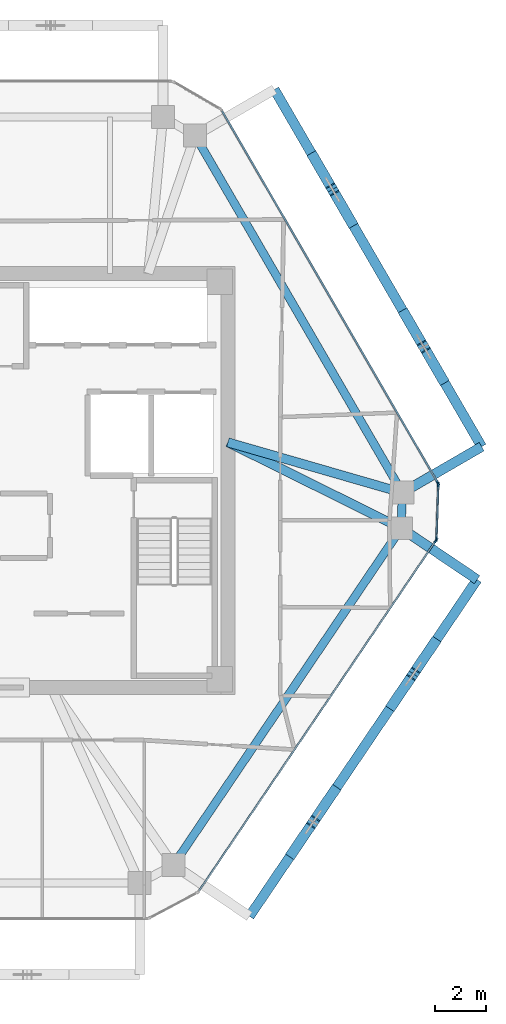
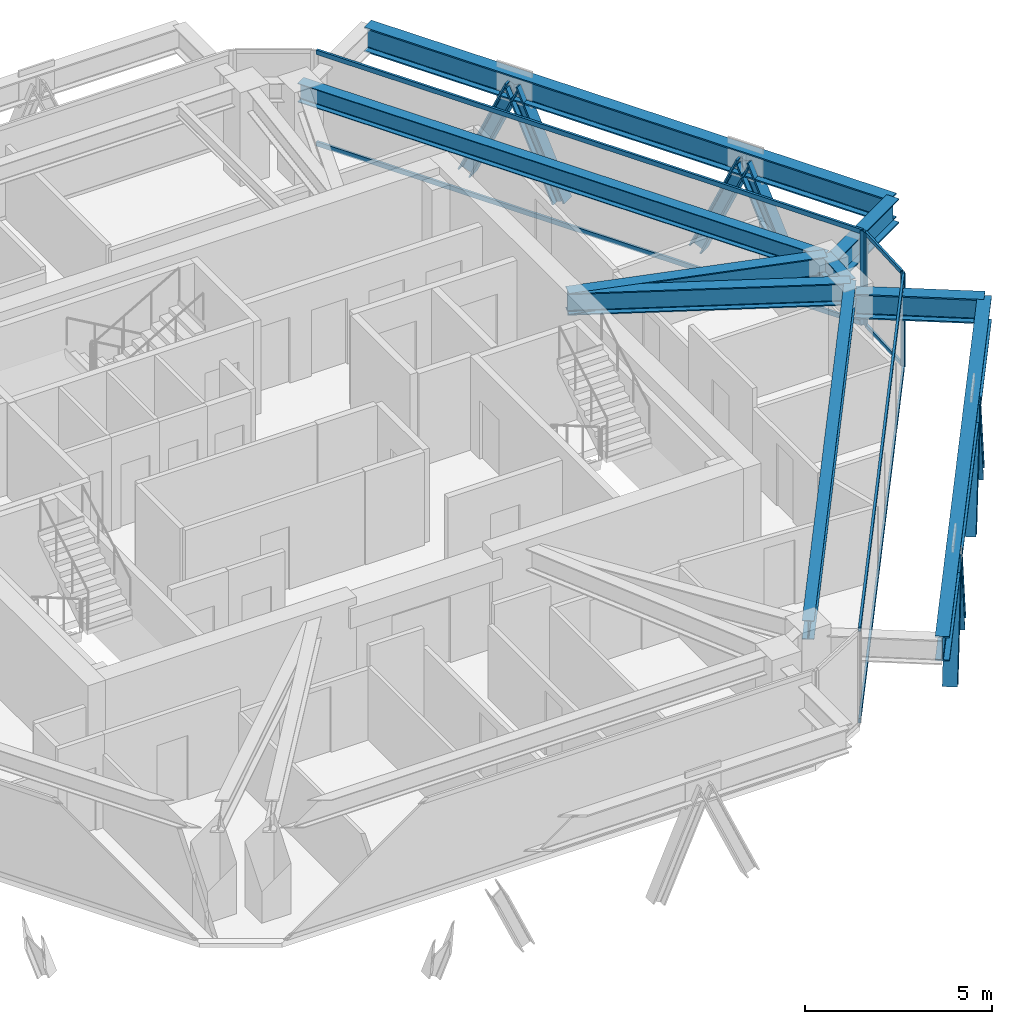
# One storey, part 5 of 13: 18 members, 9 beams, 3 elements without a shape of their own.
"""IFC4 building model written with IfcOpenShell, lengths in metres."""

from ifc_helpers import new_model, si_unit, direction, frame, origin, origin_2d, place, context, subcontext, project, spatial, rectangle, i_section, extrude, source, transform, mapped, material, layer, layer_set, material_profile, profile_set, type_object, type_shapes, element, aggregate, save


model = new_model("IFC4")

# Units and contexts
model_context = context("Model", 3, precision=1e-05, world=origin(), true_north=direction((0.0, 1.0)))
body_context = subcontext(model_context, "Body", "Model", "MODEL_VIEW")
ifc_project = project(units=[si_unit("LENGTHUNIT", "METRE"), si_unit("AREAUNIT", "SQUARE_METRE"), si_unit("VOLUMEUNIT", "CUBIC_METRE"), si_unit("PLANEANGLEUNIT", "RADIAN"), si_unit("MASSUNIT", "GRAM", prefix="KILO")], contexts=[model_context])

# Site, building, storey
site_placement = place(None, origin())
site = spatial("IfcSite", under=ifc_project, at=site_placement, CompositionType="ELEMENT")
building_placement = place(site_placement, origin())
building = spatial("IfcBuilding", under=site, at=building_placement, Name="Durnholm Broadcast Tower", CompositionType="ELEMENT")
storey_placement = place(building_placement, frame((0.0, 0.0, 248.0)))
storey = spatial("IfcBuildingStorey", under=building, at=storey_placement, Name="L69", CompositionType="ELEMENT", Elevation=248.0)

# Beams
ifc_material_1 = material(Name="Steel ASTM A992 Grade 50", Category="steel")
ifc_material_profile_1 = material_profile(ifc_material_1, i_section(OverallWidth=0.385009765625, OverallDepth=0.802978515625, WebThickness=0.023681640625, FlangeThickness=0.0419921875, FilletRadius=0.032958984375, at=origin_2d()), Name="W30X261")
ifc_profile_set_1 = profile_set([ifc_material_profile_1], Name="Steel ASTM A992 Grade 50")
beam_type_1 = type_object("IfcBeamType", Name="BM-EXO-TIE", PredefinedType="USERDEFINED", material=ifc_profile_set_1)
shared_shape_1 = source(origin(), body_context, "Body", "SweptSolid", [
    extrude(i_section(OverallWidth=0.385009765625, OverallDepth=0.802978515625, WebThickness=0.023681640625, FlangeThickness=0.0419921875, FilletRadius=0.032958984375, at=origin_2d()), origin(), (0.0, 0.0, 1.0), 3.4560546875),
])
beam_1_placement = place(storey_placement, frame((17.0947265625, -0.40380859375, 2.30859375), z_axis=(0.864924479231, 0.501902027518, 0.0), x_axis=(-0.501902027518, 0.864924479231, 0.0)))
element("IfcBeam", 1, at=beam_1_placement, inside=storey, type_object=beam_type_1, Name="L69 exoskeleton stand-off tie bracket F3.1", ObjectType="GIRDER", PredefinedType="USERDEFINED", context=body_context, shape_type="MappedRepresentation", body=[
    mapped(shared_shape_1, transform((0.0, 0.0, 0.0), x_axis=(1.0, 0.0, 0.0), y_axis=(0.0, 1.0, 0.0), z_axis=(0.0, 0.0, 1.0), scale=1.0)),
])
shared_shape_2 = source(origin(), body_context, "Body", "SweptSolid", [
    extrude(i_section(OverallWidth=0.385009765625, OverallDepth=0.802978515625, WebThickness=0.023681640625, FlangeThickness=0.0419921875, FilletRadius=0.032958984375, at=origin_2d()), origin(), (0.0, 0.0, 1.0), 3.455810546875),
])
beam_2_placement = place(storey_placement, frame((17.041748046875, -1.95068359375, 2.30859375), z_axis=(0.828446342252, -0.560068440469, 0.0), x_axis=(0.560068440469, 0.828446342252, 0.0)))
element("IfcBeam", 2, at=beam_2_placement, inside=storey, type_object=beam_type_1, Name="L69 exoskeleton stand-off tie bracket F2.2", ObjectType="GIRDER", PredefinedType="USERDEFINED", context=body_context, shape_type="MappedRepresentation", body=[
    mapped(shared_shape_2, transform((0.0, 0.0, 0.0), x_axis=(1.0, 0.0, 0.0), y_axis=(0.0, 1.0, 0.0), z_axis=(0.0, 0.0, 1.0), scale=1.0)),
])
ifc_material_profile_2 = material_profile(ifc_material_1, i_section(OverallWidth=0.3251953125, OverallDepth=0.6162109375, WebThickness=0.013916015625, FlangeThickness=0.021484375, FilletRadius=0.02783203125, at=origin_2d()), Name="W24X117")
ifc_profile_set_2 = profile_set([ifc_material_profile_2], Name="Steel ASTM A992 Grade 50")
beam_type_2 = type_object("IfcBeamType", Name="STL-SP-W24X117", PredefinedType="SPANDREL", material=ifc_profile_set_2)
shared_shape_3 = source(origin(), body_context, "Body", "SweptSolid", [
    extrude(i_section(OverallWidth=0.3251953125, OverallDepth=0.6162109375, WebThickness=0.013916015625, FlangeThickness=0.021484375, FilletRadius=0.02783203125, at=origin_2d()), origin(), (0.0, 0.0, 1.0), 1.39453125),
])
beam_3_placement = place(storey_placement, frame((16.97021484375, -0.47607421875, 2.73681640625), z_axis=(-0.034311541846, -0.999411185697, 0.0), x_axis=(0.999411185697, -0.034311541846, 0.0)))
element("IfcBeam", 3, at=beam_3_placement, inside=storey, type_object=beam_type_2, Name="L69 perimeter spandrel girder 08", PredefinedType="SPANDREL", context=body_context, shape_type="MappedRepresentation", body=[
    mapped(shared_shape_3, transform((0.0, 0.0, 0.0), x_axis=(1.0, 0.0, 0.0), y_axis=(0.0, 1.0, 0.0), z_axis=(0.0, 0.0, 1.0), scale=1.0)),
])
shared_shape_4 = source(origin(), body_context, "Body", "SweptSolid", [
    extrude(i_section(OverallWidth=0.3251953125, OverallDepth=0.6162109375, WebThickness=0.013916015625, FlangeThickness=0.021484375, FilletRadius=0.02783203125, at=origin_2d()), origin(), (0.0, 0.0, 1.0), 15.947265625),
])
beam_4_placement = place(storey_placement, frame((16.92236328125, -1.869873046875, 2.73681640625), z_axis=(-0.560062212489, -0.828450552623, 0.0), x_axis=(0.828450552623, -0.560062212489, 0.0)))
element("IfcBeam", 4, at=beam_4_placement, inside=storey, type_object=beam_type_2, Name="L69 perimeter spandrel girder 09", PredefinedType="SPANDREL", context=body_context, shape_type="MappedRepresentation", body=[
    mapped(shared_shape_4, transform((0.0, 0.0, 0.0), x_axis=(1.0, 0.0, 0.0), y_axis=(0.0, 1.0, 0.0), z_axis=(0.0, 0.0, 1.0), scale=1.0)),
])
shared_shape_5 = source(origin(), body_context, "Body", "SweptSolid", [
    extrude(i_section(OverallWidth=0.3251953125, OverallDepth=0.6162109375, WebThickness=0.013916015625, FlangeThickness=0.021484375, FilletRadius=0.02783203125, at=origin_2d()), origin(), (0.0, 0.0, 1.0), 16.20263671875),
])
type_shapes(beam_type_2, [shared_shape_3, shared_shape_4, shared_shape_5])
beam_5_placement = place(storey_placement, frame((8.83740234375, 13.53759765625, 2.73681640625), z_axis=(0.501943573333, -0.864900369516, 0.0), x_axis=(0.864900369516, 0.501943573333, 0.0)))
element("IfcBeam", 5, at=beam_5_placement, inside=storey, type_object=beam_type_2, Name="L69 perimeter spandrel girder 07", PredefinedType="SPANDREL", context=body_context, shape_type="MappedRepresentation", body=[
    mapped(shared_shape_5, transform((0.0, 0.0, 0.0), x_axis=(1.0, 0.0, 0.0), y_axis=(0.0, 1.0, 0.0), z_axis=(0.0, 0.0, 1.0), scale=1.0)),
])
shared_shape_6 = source(origin(), body_context, "Body", "SweptSolid", [
    extrude(i_section(OverallWidth=0.385009765625, OverallDepth=0.802978515625, WebThickness=0.023681640625, FlangeThickness=0.0419921875, FilletRadius=0.032958984375, at=origin_2d()), origin(), (0.0, 0.0, 1.0), 15.947021484375),
])
beam_6_placement = place(storey_placement, frame((10.973388671875, -17.097412109375, 2.30859375), z_axis=(0.560069315853, 0.828445750451, 0.0), x_axis=(-0.828445750451, 0.560069315853, 0.0)))
element("IfcBeam", 6, at=beam_6_placement, inside=storey, type_object=beam_type_1, Name="L69 exoskeleton collector spandrel F2", PredefinedType="SPANDREL", context=body_context, shape_type="MappedRepresentation", body=[
    mapped(shared_shape_6, transform((0.0, 0.0, 0.0), x_axis=(1.0, 0.0, 0.0), y_axis=(0.0, 1.0, 0.0), z_axis=(0.0, 0.0, 1.0), scale=1.0)),
])
shared_shape_7 = source(origin(), body_context, "Body", "SweptSolid", [
    extrude(i_section(OverallWidth=0.385009765625, OverallDepth=0.802978515625, WebThickness=0.023681640625, FlangeThickness=0.0419921875, FilletRadius=0.032958984375, at=origin_2d()), origin(), (0.0, 0.0, 1.0), 16.202880859375),
])
type_shapes(beam_type_1, [shared_shape_1, shared_shape_2, shared_shape_6, shared_shape_7])
beam_7_placement = place(storey_placement, frame((20.083984375, 1.330810546875, 2.30859375), z_axis=(-0.501948303381, 0.864897624423, 0.0), x_axis=(-0.864897624423, -0.501948303381, 0.0)))
element("IfcBeam", 7, at=beam_7_placement, inside=storey, type_object=beam_type_1, Name="L69 exoskeleton collector spandrel F3", PredefinedType="SPANDREL", context=body_context, shape_type="MappedRepresentation", body=[
    mapped(shared_shape_7, transform((0.0, 0.0, 0.0), x_axis=(1.0, 0.0, 0.0), y_axis=(0.0, 1.0, 0.0), z_axis=(0.0, 0.0, 1.0), scale=1.0)),
])
ifc_material_profile_3 = material_profile(ifc_material_1, i_section(OverallWidth=0.3564453125, OverallDepth=0.713623046875, WebThickness=0.01904296875, FlangeThickness=0.033935546875, FilletRadius=0.030517578125, at=origin_2d()), Name="W27X194")
ifc_profile_set_3 = profile_set([ifc_material_profile_3], Name="Steel ASTM A992 Grade 50")
beam_type_3 = type_object("IfcBeamType", Name="STL-GR-W27X194", PredefinedType="USERDEFINED", material=ifc_profile_set_3)
shared_shape_8 = source(origin(), body_context, "Body", "SweptSolid", [
    extrude(i_section(OverallWidth=0.3564453125, OverallDepth=0.713623046875, WebThickness=0.01904296875, FlangeThickness=0.033935546875, FilletRadius=0.030517578125, at=origin_2d()), origin(), (0.0, 0.0, 1.0), 7.124755859375),
])
beam_8_placement = place(storey_placement, frame((10.125, 1.5, 2.688232421875), z_axis=(0.960767767054, -0.277354101809, 0.0), x_axis=(0.277354101809, 0.960767767054, 0.0)))
element("IfcBeam", 8, at=beam_8_placement, inside=storey, type_object=beam_type_3, Name="L69 radial primary floor girder 08", ObjectType="GIRDER", PredefinedType="USERDEFINED", context=body_context, shape_type="MappedRepresentation", body=[
    mapped(shared_shape_8, transform((0.0, 0.0, 0.0), x_axis=(1.0, 0.0, 0.0), y_axis=(0.0, 1.0, 0.0), z_axis=(0.0, 0.0, 1.0), scale=1.0)),
])
shared_shape_9 = source(origin(), body_context, "Body", "SweptSolid", [
    extrude(i_section(OverallWidth=0.3564453125, OverallDepth=0.713623046875, WebThickness=0.01904296875, FlangeThickness=0.033935546875, FilletRadius=0.030517578125, at=origin_2d()), origin(), (0.0, 0.0, 1.0), 7.5869140625),
])
type_shapes(beam_type_3, [shared_shape_8, shared_shape_9])
beam_9_placement = place(storey_placement, frame((10.125, 1.5, 2.688232421875), z_axis=(0.895940903598, -0.444173273916, 0.0), x_axis=(0.444173273916, 0.895940903598, 0.0)))
element("IfcBeam", 9, at=beam_9_placement, inside=storey, type_object=beam_type_3, Name="L69 radial primary floor girder 09", ObjectType="GIRDER", PredefinedType="USERDEFINED", context=body_context, shape_type="MappedRepresentation", body=[
    mapped(shared_shape_9, transform((0.0, 0.0, 0.0), x_axis=(1.0, 0.0, 0.0), y_axis=(0.0, 1.0, 0.0), z_axis=(0.0, 0.0, 1.0), scale=1.0)),
])

# Members
ifc_material_2 = material(Name="Steel ASTM A913 Grade 65", Category="steel")
ifc_material_profile_4 = material_profile(ifc_material_2, i_section(OverallWidth=0.40625, OverallDepth=0.416015625, WebThickness=0.02978515625, FlangeThickness=0.048095703125, FilletRadius=0.030517578125, at=origin_2d()), Name="W14X257")
ifc_profile_set_4 = profile_set([ifc_material_profile_4], Name="Steel ASTM A913 Grade 65")
member_type_1 = type_object("IfcMemberType", Name="STL-DG-W14X257", PredefinedType="BRACE", material=ifc_profile_set_4)
shared_shape_10 = source(origin(), body_context, "Body", "SweptSolid", [
    extrude(i_section(OverallWidth=0.40625, OverallDepth=0.416015625, WebThickness=0.02978515625, FlangeThickness=0.048095703125, FilletRadius=0.030517578125, at=origin_2d()), origin(), (0.0, 0.0, 1.0), 3.60791015625),
])
type_shapes(member_type_1, [shared_shape_10])
for number, where, z_axis, x_axis, name in (
    (10, (12.657470703125, -14.6064453125, -0.991455078125), (0.226349134478, 0.334888450383, 0.914667040579), (-0.828505003222, 0.559981660089, 0.0), "L69 stand-off diagrid brace F2.D1.1"),
    (11, (14.290771484375, -12.190185546875, -0.991455078125), (-0.226354263477, -0.334828369412, 0.914687766641), (0.828452496411, -0.560059337206, 0.0), "L69 stand-off diagrid brace F2.D1.2"),
    (12, (16.58740234375, -8.79345703125, -0.991455078125), (0.226349134478, 0.334888450383, 0.914667040579), (-0.828505003222, 0.559981660089, 0.0), "L69 stand-off diagrid brace F2.D2.1"),
    (13, (18.220703125, -6.377197265625, -0.991455078125), (-0.226354263477, -0.334828369412, 0.914687766641), (0.828452496411, -0.560059337206, 0.0), "L69 stand-off diagrid brace F2.D2.2"),
    (14, (18.53857421875, 3.99365234375, -0.991455078125), (-0.202871189729, 0.349577240207, 0.914679743685), (-0.864906184135, -0.501933554014, 0.0), "L69 stand-off diagrid brace F3.D1.1"),
    (15, (17.07470703125, 6.51611328125, -0.991455078125), (0.202871189729, -0.349577240207, 0.914679743685), (0.864906184135, 0.501933554014, 0.0), "L69 stand-off diagrid brace F3.D1.2"),
    (16, (14.960205078125, 10.15966796875, -0.991455078125), (-0.202871189729, 0.349577240207, 0.914679743685), (-0.864906184135, -0.501933554014, 0.0), "L69 stand-off diagrid brace F3.D2.1"),
    (17, (13.496337890625, 12.681884765625, -0.991455078125), (0.202875988452, -0.349517838677, 0.914701379553), (0.864863994925, 0.502006245263, 0.0), "L69 stand-off diagrid brace F3.D2.2"),
):
    element("IfcMember", number, at=place(storey_placement, frame(where, z_axis=z_axis, x_axis=x_axis)), inside=storey, type_object=member_type_1, Name=name, PredefinedType="BRACE", context=body_context, shape_type="MappedRepresentation", body=[
        mapped(shared_shape_10, transform((0.0, 0.0, 0.0), x_axis=(1.0, 0.0, 0.0), y_axis=(0.0, 1.0, 0.0), z_axis=(0.0, 0.0, 1.0), scale=1.0)),
    ])

# Curtain wall, members
ifc_material_3 = material(Name="Aluminium and Solar Control IGU", Category="aluminium")
ifc_layer_1 = layer(ifc_material_3, 0.1650390625)
ifc_layer_set_1 = layer_set([ifc_layer_1], Name="Aluminium and Solar Control IGU")
curtain_wall_type_1 = type_object("IfcCurtainWallType", Name="CW-SYS-5", PredefinedType="NOTDEFINED", material=ifc_layer_set_1)
curtain_wall_1_placement = place(storey_placement, origin())
curtain_wall_1 = element("IfcCurtainWall", 18, at=curtain_wall_1_placement, inside=storey, type_object=curtain_wall_type_1, Name="L69 curtain wall CW-CORNER CW-L69-CRN-07", PredefinedType="NOTDEFINED")
ifc_material_4 = material(Name="Aluminium 6063-T6", Category="aluminium")
ifc_material_profile_5 = material_profile(ifc_material_4, rectangle(XDim=0.06494140625, YDim=0.1298828125, at=origin_2d()), Name="CWT65X130")
ifc_profile_set_5 = profile_set([ifc_material_profile_5], Name="Aluminium 6063-T6")
member_type_2 = type_object("IfcMemberType", Name="CW-SYS-5-TRN", PredefinedType="USERDEFINED", material=ifc_profile_set_5)
shared_shape_11 = source(origin(), body_context, "Body", "SweptSolid", [
    extrude(rectangle(XDim=0.06494140625, YDim=0.1298828125, at=origin_2d()), origin(), (0.0, 0.0, 1.0), 2.06982421875),
])
type_shapes(member_type_2, [shared_shape_11])
member_1_placement = place(storey_placement, frame((18.381103515625, -0.186767578125, 0.032470703125), z_axis=(-0.034324150719, -0.999410752733, 0.0), x_axis=(0.999410752733, -0.034324150719, 0.0)))
member_1 = element("IfcMember", 19, at=member_1_placement, type_object=member_type_2, Name="CW-CORNER transom 1.1", ObjectType="TRANSOM", PredefinedType="USERDEFINED", context=body_context, shape_type="MappedRepresentation", body=[
    mapped(shared_shape_11, transform((0.0, 0.0, 0.0), x_axis=(1.0, 0.0, 0.0), y_axis=(0.0, 1.0, 0.0), z_axis=(0.0, 0.0, 1.0), scale=1.0)),
])
member_2_placement = place(storey_placement, frame((18.381103515625, -0.186767578125, 3.027587890625), z_axis=(-0.034324150719, -0.999410752733, 0.0), x_axis=(0.999410752733, -0.034324150719, 0.0)))
member_2 = element("IfcMember", 20, at=member_2_placement, type_object=member_type_2, Name="CW-CORNER transom 1.2", ObjectType="TRANSOM", PredefinedType="USERDEFINED", context=body_context, shape_type="MappedRepresentation", body=[
    mapped(shared_shape_11, transform((0.0, 0.0, 0.0), x_axis=(1.0, 0.0, 0.0), y_axis=(0.0, 1.0, 0.0), z_axis=(0.0, 0.0, 1.0), scale=1.0)),
])
ifc_material_profile_6 = material_profile(ifc_material_4, rectangle(XDim=0.06494140625, YDim=0.1650390625, at=origin_2d()), Name="CWM65X165")
ifc_profile_set_6 = profile_set([ifc_material_profile_6], Name="Aluminium 6063-T6")
member_type_3 = type_object("IfcMemberType", Name="CW-SYS-5-MUL", PredefinedType="MULLION", material=ifc_profile_set_6)
shared_shape_12 = source(origin(), body_context, "Body", "SweptSolid", [
    extrude(rectangle(XDim=0.06494140625, YDim=0.1650390625, at=origin_2d()), origin(), (0.0, 0.0, 1.0), 3.06005859375),
])
type_shapes(member_type_3, [shared_shape_12])
member_3_placement = place(storey_placement, frame((18.382080078125, -0.154296875, 0.0), z_axis=(0.0, 0.0, 1.0), x_axis=(0.999410955514, -0.034318245849, 0.0)))
member_3 = element("IfcMember", 21, at=member_3_placement, type_object=member_type_3, Name="CW-CORNER mullion 1", PredefinedType="MULLION", context=body_context, shape_type="MappedRepresentation", body=[
    mapped(shared_shape_12, transform((0.0, 0.0, 0.0), x_axis=(1.0, 0.0, 0.0), y_axis=(0.0, 1.0, 0.0), z_axis=(0.0, 0.0, 1.0), scale=1.0)),
])
member_4_placement = place(storey_placement, frame((18.308837890625, -2.287841796875, 0.0), z_axis=(0.0, 0.0, 1.0), x_axis=(0.999410955514, -0.034318245849, 0.0)))
member_4 = element("IfcMember", 22, at=member_4_placement, type_object=member_type_3, Name="CW-CORNER mullion 2", PredefinedType="MULLION", context=body_context, shape_type="MappedRepresentation", body=[
    mapped(shared_shape_12, transform((0.0, 0.0, 0.0), x_axis=(1.0, 0.0, 0.0), y_axis=(0.0, 1.0, 0.0), z_axis=(0.0, 0.0, 1.0), scale=1.0)),
])
aggregate(curtain_wall_1, [member_3, member_4, member_1, member_2])

# Curtain wall, member
ifc_layer_2 = layer(ifc_material_3, 0.18994140625)
ifc_layer_set_2 = layer_set([ifc_layer_2], Name="Aluminium and Solar Control IGU")
curtain_wall_type_2 = type_object("IfcCurtainWallType", Name="CW-SYS-4", PredefinedType="NOTDEFINED", material=ifc_layer_set_2)
curtain_wall_2_placement = place(storey_placement, origin())
curtain_wall_2 = element("IfcCurtainWall", 23, at=curtain_wall_2_placement, inside=storey, type_object=curtain_wall_type_2, Name="L69 curtain wall CW-Z34-VIS CW-L69-F06", PredefinedType="NOTDEFINED")
ifc_material_profile_7 = material_profile(ifc_material_4, rectangle(XDim=0.070068359375, YDim=0.18994140625, at=origin_2d()), Name="CWM70X190")
ifc_profile_set_7 = profile_set([ifc_material_profile_7], Name="Aluminium 6063-T6")
member_type_4 = type_object("IfcMemberType", Name="CW-SYS-4-MUL", PredefinedType="MULLION", material=ifc_profile_set_7)
shared_shape_13 = source(origin(), body_context, "Body", "SweptSolid", [
    extrude(rectangle(XDim=0.070068359375, YDim=0.18994140625, at=origin_2d()), origin(), (0.0, 0.0, 1.0), 3.06005859375),
])
type_shapes(member_type_4, [shared_shape_13])
member_5_placement = place(storey_placement, frame((18.36572265625, -0.09130859375, 0.0), z_axis=(0.0, 0.0, 1.0), x_axis=(0.864899883824, 0.50194441023, 0.0)))
member_5 = element("IfcMember", 24, at=member_5_placement, type_object=member_type_4, Name="CW-Z34-VIS mullion 2", PredefinedType="MULLION", context=body_context, shape_type="MappedRepresentation", body=[
    mapped(shared_shape_13, transform((0.0, 0.0, 0.0), x_axis=(1.0, 0.0, 0.0), y_axis=(0.0, 1.0, 0.0), z_axis=(0.0, 0.0, 1.0), scale=1.0)),
])

# Curtain wall, members
curtain_wall_3_placement = place(storey_placement, origin())
curtain_wall_3 = element("IfcCurtainWall", 25, at=curtain_wall_3_placement, inside=storey, type_object=curtain_wall_type_2, Name="L69 curtain wall CW-Z34-VIS CW-L69-F08", PredefinedType="NOTDEFINED")
member_6_placement = place(storey_placement, frame((18.2880859375, -2.349365234375, 0.0), z_axis=(0.0, 0.0, 1.0), x_axis=(0.828443431662, -0.560072745753, 0.0)))
member_6 = element("IfcMember", 26, at=member_6_placement, type_object=member_type_4, Name="CW-Z34-VIS mullion 1", PredefinedType="MULLION", context=body_context, shape_type="MappedRepresentation", body=[
    mapped(shared_shape_13, transform((0.0, 0.0, 0.0), x_axis=(1.0, 0.0, 0.0), y_axis=(0.0, 1.0, 0.0), z_axis=(0.0, 0.0, 1.0), scale=1.0)),
])
ifc_material_profile_8 = material_profile(ifc_material_4, rectangle(XDim=0.070068359375, YDim=0.14990234375, at=origin_2d()), Name="CWT70X150")
ifc_profile_set_8 = profile_set([ifc_material_profile_8], Name="Aluminium 6063-T6")
member_type_5 = type_object("IfcMemberType", Name="CW-SYS-4-TRN", PredefinedType="USERDEFINED", material=ifc_profile_set_8)
shared_shape_14 = source(origin(), body_context, "Body", "SweptSolid", [
    extrude(rectangle(XDim=0.070068359375, YDim=0.14990234375, at=origin_2d()), origin(), (0.0, 0.0, 1.0), 16.55859375),
])
member_7_placement = place(storey_placement, frame((18.2685546875, -2.37841796875, 0.034912109375), z_axis=(-0.560071338091, -0.828444383317, 0.0), x_axis=(0.828444383317, -0.560071338091, 0.0)))
member_7 = element("IfcMember", 27, at=member_7_placement, type_object=member_type_5, Name="CW-Z34-VIS transom 1.1", ObjectType="TRANSOM", PredefinedType="USERDEFINED", context=body_context, shape_type="MappedRepresentation", body=[
    mapped(shared_shape_14, transform((0.0, 0.0, 0.0), x_axis=(1.0, 0.0, 0.0), y_axis=(0.0, 1.0, 0.0), z_axis=(0.0, 0.0, 1.0), scale=1.0)),
])
member_8_placement = place(storey_placement, frame((18.2685546875, -2.37841796875, 3.02490234375), z_axis=(-0.560071338091, -0.828444383317, 0.0), x_axis=(0.828444383317, -0.560071338091, 0.0)))
member_8 = element("IfcMember", 28, at=member_8_placement, type_object=member_type_5, Name="CW-Z34-VIS transom 1.2", ObjectType="TRANSOM", PredefinedType="USERDEFINED", context=body_context, shape_type="MappedRepresentation", body=[
    mapped(shared_shape_14, transform((0.0, 0.0, 0.0), x_axis=(1.0, 0.0, 0.0), y_axis=(0.0, 1.0, 0.0), z_axis=(0.0, 0.0, 1.0), scale=1.0)),
])
aggregate(curtain_wall_3, [member_6, member_7, member_8])

# Member
shared_shape_15 = source(origin(), body_context, "Body", "SweptSolid", [
    extrude(rectangle(XDim=0.070068359375, YDim=0.14990234375, at=origin_2d()), origin(), (0.0, 0.0, 1.0), 16.83984375),
])
type_shapes(member_type_5, [shared_shape_14, shared_shape_15])
member_9_placement = place(storey_placement, frame((9.8955078125, 14.503662109375, 0.034912109375), z_axis=(0.501945239029, -0.86489940283, 0.0), x_axis=(0.86489940283, 0.501945239029, 0.0)))
member_9 = element("IfcMember", 29, at=member_9_placement, type_object=member_type_5, Name="CW-Z34-VIS transom 1.1", ObjectType="TRANSOM", PredefinedType="USERDEFINED", context=body_context, shape_type="MappedRepresentation", body=[
    mapped(shared_shape_15, transform((0.0, 0.0, 0.0), x_axis=(1.0, 0.0, 0.0), y_axis=(0.0, 1.0, 0.0), z_axis=(0.0, 0.0, 1.0), scale=1.0)),
])

member_10_placement = place(storey_placement, frame((9.8955078125, 14.503662109375, 3.02490234375), z_axis=(0.501945239029, -0.86489940283, 0.0), x_axis=(0.86489940283, 0.501945239029, 0.0)))
member_10 = element("IfcMember", 30, at=member_10_placement, type_object=member_type_5, Name="CW-Z34-VIS transom 1.2", ObjectType="TRANSOM", PredefinedType="USERDEFINED", context=body_context, shape_type="MappedRepresentation", body=[
    mapped(shared_shape_15, transform((0.0, 0.0, 0.0), x_axis=(1.0, 0.0, 0.0), y_axis=(0.0, 1.0, 0.0), z_axis=(0.0, 0.0, 1.0), scale=1.0)),
])

aggregate(curtain_wall_2, [member_5, member_9, member_10])

save(model, "model.ifc")
